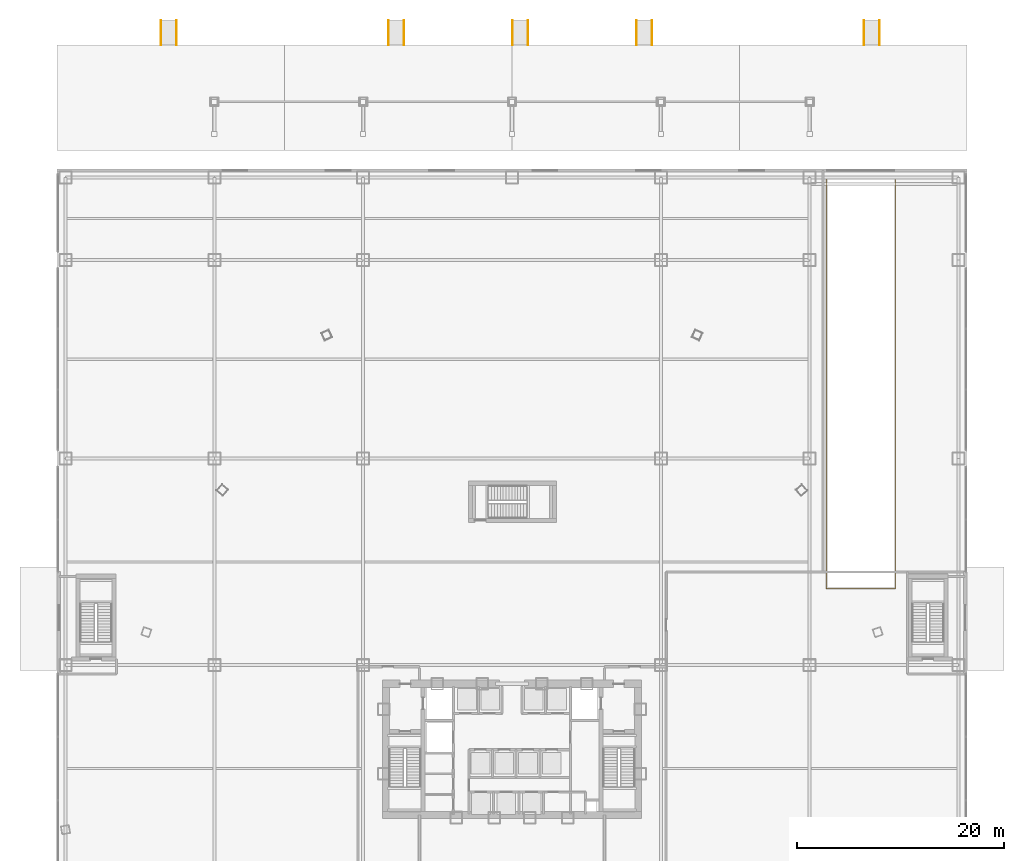
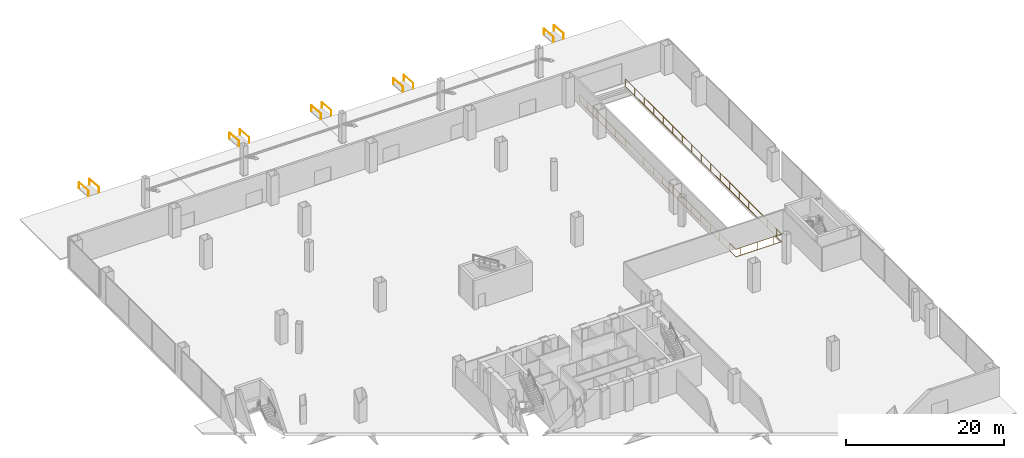
# One storey, part 57 of 58: 11 railings.
"""IFC4 building model written with IfcOpenShell, lengths in metres."""

from ifc_helpers import new_model, si_unit, direction, frame, origin, origin_2d, place, context, subcontext, project, spatial, rectangle, extrude, material, type_object, element, save


model = new_model("IFC4")

# Units and contexts
model_context = context("Model", 3, precision=1e-05, world=origin(), true_north=direction((0.0, 1.0)))
body_context = subcontext(model_context, "Body", "Model", "MODEL_VIEW")
ifc_project = project(units=[si_unit("LENGTHUNIT", "METRE"), si_unit("AREAUNIT", "SQUARE_METRE"), si_unit("VOLUMEUNIT", "CUBIC_METRE"), si_unit("PLANEANGLEUNIT", "RADIAN"), si_unit("MASSUNIT", "GRAM", prefix="KILO"), si_unit("THERMODYNAMICTEMPERATUREUNIT", "KELVIN"), si_unit("POWERUNIT", "WATT")], contexts=[model_context])

# Site, building, storey
site_placement = place(None, origin())
site = spatial("IfcSite", under=ifc_project, at=site_placement, CompositionType="ELEMENT")
building_placement = place(site_placement, origin())
building = spatial("IfcBuilding", under=site, at=building_placement, Name="Yunzhuo Pagoda Commons", CompositionType="ELEMENT")
storey_placement = place(building_placement, origin())
storey = spatial("IfcBuildingStorey", under=building, at=storey_placement, Name="L01", CompositionType="ELEMENT", Elevation=0.0)

# Railings
ifc_material = material(Name="Anodized aluminium 6063-T6", Category="aluminium")
railing_type_1 = type_object("IfcRailingType", Name="HR-PED1 Exterior Accessible Ramp Handrail 900", PredefinedType="HANDRAIL", material=ifc_material)
for number, where, name in (
    (1, (14.050048828125, 104.39990234375, -0.199951171875), "Accessible ramp handrail 1L"),
    (2, (15.550048828125, 104.39990234375, -0.199951171875), "Accessible ramp handrail 1R"),
    (3, (36.050048828125, 104.39990234375, -0.199951171875), "Accessible ramp handrail 2L"),
    (4, (37.550048828125, 104.39990234375, -0.199951171875), "Accessible ramp handrail 2R"),
    (5, (48.050048828125, 104.39990234375, -0.199951171875), "Accessible ramp handrail 3L"),
    (6, (49.550048828125, 104.39990234375, -0.199951171875), "Accessible ramp handrail 3R"),
    (7, (60.050048828125, 104.39990234375, -0.199951171875), "Accessible ramp handrail 4L"),
    (8, (61.550048828125, 104.39990234375, -0.199951171875), "Accessible ramp handrail 4R"),
    (9, (82.050048828125, 104.39990234375, -0.199951171875), "Accessible ramp handrail 5L"),
    (10, (83.550048828125, 104.39990234375, -0.199951171875), "Accessible ramp handrail 5R"),
):
    element("IfcRailing", number, at=place(storey_placement, frame(where)), inside=storey, type_object=railing_type_1, Name=name, PredefinedType="HANDRAIL", context=body_context, shape_type="SweptSolid", body=[
        extrude(rectangle(XDim=0.048095703125, YDim=0.048095703125, at=origin_2d()), frame((0.0, 0.0, 0.8759765625), z_axis=(0.0, -0.996547156423, 0.083028700011), x_axis=(1.0, 0.0, 0.0)), (0.0, 0.0, 1.0), 2.408203125),
        extrude(rectangle(XDim=0.0419921875, YDim=0.0419921875, at=origin_2d()), origin(), (0.0, 0.0, 1.0), 0.851806640625),
        extrude(rectangle(XDim=0.0419921875, YDim=0.0419921875, at=origin_2d()), frame((0.0, -2.39990234375, 0.199951171875)), (0.0, 0.0, 1.0), 0.851806640625),
    ])
railing_type_2 = type_object("IfcRailingType", Name="RL-RMP1 Interior Ramp Well Guardrail 1200", PredefinedType="GUARDRAIL", material=ifc_material)
railing_placement = place(storey_placement, frame((85.10009765625, 89.0, 0.0)))
element("IfcRailing", 11, at=railing_placement, inside=storey, type_object=railing_type_2, Name="L01 car park ramp well guardrail", PredefinedType="GUARDRAIL", context=body_context, shape_type="SweptSolid", body=[
    extrude(rectangle(XDim=0.048095703125, YDim=0.048095703125, at=origin_2d()), frame((0.0, 0.0, 1.17578125), z_axis=(0.0, -1.0, 0.0), x_axis=(1.0, 0.0, 0.0)), (0.0, 0.0, 1.0), 39.60009765625),
    extrude(rectangle(XDim=0.048095703125, YDim=0.048095703125, at=origin_2d()), frame((0.0, 0.0, 0.02392578125), z_axis=(0.0, -1.0, 0.0), x_axis=(1.0, 0.0, 0.0)), (0.0, 0.0, 1.0), 39.60009765625),
    extrude(rectangle(XDim=0.048095703125, YDim=0.048095703125, at=origin_2d()), frame((0.0, -39.60009765625, 1.17578125), z_axis=(-1.0, 0.0, 0.0), x_axis=(0.0, -1.0, 0.0)), (0.0, 0.0, 1.0), 6.7001953125),
    extrude(rectangle(XDim=0.048095703125, YDim=0.048095703125, at=origin_2d()), frame((0.0, -39.60009765625, 0.02392578125), z_axis=(-1.0, 0.0, 0.0), x_axis=(0.0, -1.0, 0.0)), (0.0, 0.0, 1.0), 6.7001953125),
    extrude(rectangle(XDim=0.048095703125, YDim=0.048095703125, at=origin_2d()), frame((-6.7001953125, -39.60009765625, 1.17578125), z_axis=(0.0, 1.0, 0.0), x_axis=(-1.0, 0.0, 0.0)), (0.0, 0.0, 1.0), 39.60009765625),
    extrude(rectangle(XDim=0.048095703125, YDim=0.048095703125, at=origin_2d()), frame((-6.7001953125, -39.60009765625, 0.02392578125), z_axis=(0.0, 1.0, 0.0), x_axis=(-1.0, 0.0, 0.0)), (0.0, 0.0, 1.0), 39.60009765625),
    extrude(rectangle(XDim=0.0419921875, YDim=0.0419921875, at=origin_2d()), origin(), (0.0, 0.0, 1.0), 1.15185546875),
    extrude(rectangle(XDim=0.0419921875, YDim=0.0419921875, at=origin_2d()), frame((0.0, -2.39990234375, 0.0)), (0.0, 0.0, 1.0), 1.15185546875),
    extrude(rectangle(XDim=0.0419921875, YDim=0.0419921875, at=origin_2d()), frame((0.0, -4.800048828125, 0.0)), (0.0, 0.0, 1.0), 1.15185546875),
    extrude(rectangle(XDim=0.0419921875, YDim=0.0419921875, at=origin_2d()), frame((0.0, -7.199951171875, 0.0)), (0.0, 0.0, 1.0), 1.15185546875),
    extrude(rectangle(XDim=0.0419921875, YDim=0.0419921875, at=origin_2d()), frame((0.0, -9.60009765625, 0.0)), (0.0, 0.0, 1.0), 1.15185546875),
    extrude(rectangle(XDim=0.0419921875, YDim=0.0419921875, at=origin_2d()), frame((0.0, -12.0, 0.0)), (0.0, 0.0, 1.0), 1.15185546875),
    extrude(rectangle(XDim=0.0419921875, YDim=0.0419921875, at=origin_2d()), frame((0.0, -14.39990234375, 0.0)), (0.0, 0.0, 1.0), 1.15185546875),
    extrude(rectangle(XDim=0.0419921875, YDim=0.0419921875, at=origin_2d()), frame((0.0, -16.800048828125, 0.0)), (0.0, 0.0, 1.0), 1.15185546875),
    extrude(rectangle(XDim=0.0419921875, YDim=0.0419921875, at=origin_2d()), frame((0.0, -19.199951171875, 0.0)), (0.0, 0.0, 1.0), 1.15185546875),
    extrude(rectangle(XDim=0.0419921875, YDim=0.0419921875, at=origin_2d()), frame((0.0, -21.60009765625, 0.0)), (0.0, 0.0, 1.0), 1.15185546875),
    extrude(rectangle(XDim=0.0419921875, YDim=0.0419921875, at=origin_2d()), frame((0.0, -24.0, 0.0)), (0.0, 0.0, 1.0), 1.15185546875),
    extrude(rectangle(XDim=0.0419921875, YDim=0.0419921875, at=origin_2d()), frame((0.0, -26.39990234375, 0.0)), (0.0, 0.0, 1.0), 1.15185546875),
    extrude(rectangle(XDim=0.0419921875, YDim=0.0419921875, at=origin_2d()), frame((0.0, -28.800048828125, 0.0)), (0.0, 0.0, 1.0), 1.15185546875),
    extrude(rectangle(XDim=0.0419921875, YDim=0.0419921875, at=origin_2d()), frame((0.0, -31.199951171875, 0.0)), (0.0, 0.0, 1.0), 1.15185546875),
    extrude(rectangle(XDim=0.0419921875, YDim=0.0419921875, at=origin_2d()), frame((0.0, -33.60009765625, 0.0)), (0.0, 0.0, 1.0), 1.15185546875),
    extrude(rectangle(XDim=0.0419921875, YDim=0.0419921875, at=origin_2d()), frame((0.0, -36.0, 0.0)), (0.0, 0.0, 1.0), 1.15185546875),
    extrude(rectangle(XDim=0.0419921875, YDim=0.0419921875, at=origin_2d()), frame((0.0, -38.39990234375, 0.0)), (0.0, 0.0, 1.0), 1.15185546875),
    extrude(rectangle(XDim=0.0419921875, YDim=0.0419921875, at=origin_2d()), frame((-1.199951171875, -39.60009765625, 0.0)), (0.0, 0.0, 1.0), 1.15185546875),
    extrude(rectangle(XDim=0.0419921875, YDim=0.0419921875, at=origin_2d()), frame((-3.599853515625, -39.60009765625, 0.0)), (0.0, 0.0, 1.0), 1.15185546875),
    extrude(rectangle(XDim=0.0419921875, YDim=0.0419921875, at=origin_2d()), frame((-6.0, -39.60009765625, 0.0)), (0.0, 0.0, 1.0), 1.15185546875),
    extrude(rectangle(XDim=0.0419921875, YDim=0.0419921875, at=origin_2d()), frame((-6.7001953125, -37.900390625, 0.0)), (0.0, 0.0, 1.0), 1.15185546875),
    extrude(rectangle(XDim=0.0419921875, YDim=0.0419921875, at=origin_2d()), frame((-6.7001953125, -35.50048828125, 0.0)), (0.0, 0.0, 1.0), 1.15185546875),
    extrude(rectangle(XDim=0.0419921875, YDim=0.0419921875, at=origin_2d()), frame((-6.7001953125, -33.100341796875, 0.0)), (0.0, 0.0, 1.0), 1.15185546875),
    extrude(rectangle(XDim=0.0419921875, YDim=0.0419921875, at=origin_2d()), frame((-6.7001953125, -30.700439453125, 0.0)), (0.0, 0.0, 1.0), 1.15185546875),
    extrude(rectangle(XDim=0.0419921875, YDim=0.0419921875, at=origin_2d()), frame((-6.7001953125, -28.30029296875, 0.0)), (0.0, 0.0, 1.0), 1.15185546875),
    extrude(rectangle(XDim=0.0419921875, YDim=0.0419921875, at=origin_2d()), frame((-6.7001953125, -25.900390625, 0.0)), (0.0, 0.0, 1.0), 1.15185546875),
    extrude(rectangle(XDim=0.0419921875, YDim=0.0419921875, at=origin_2d()), frame((-6.7001953125, -23.50048828125, 0.0)), (0.0, 0.0, 1.0), 1.15185546875),
    extrude(rectangle(XDim=0.0419921875, YDim=0.0419921875, at=origin_2d()), frame((-6.7001953125, -21.100341796875, 0.0)), (0.0, 0.0, 1.0), 1.15185546875),
    extrude(rectangle(XDim=0.0419921875, YDim=0.0419921875, at=origin_2d()), frame((-6.7001953125, -18.700439453125, 0.0)), (0.0, 0.0, 1.0), 1.15185546875),
    extrude(rectangle(XDim=0.0419921875, YDim=0.0419921875, at=origin_2d()), frame((-6.7001953125, -16.30029296875, 0.0)), (0.0, 0.0, 1.0), 1.15185546875),
    extrude(rectangle(XDim=0.0419921875, YDim=0.0419921875, at=origin_2d()), frame((-6.7001953125, -13.900390625, 0.0)), (0.0, 0.0, 1.0), 1.15185546875),
    extrude(rectangle(XDim=0.0419921875, YDim=0.0419921875, at=origin_2d()), frame((-6.7001953125, -11.50048828125, 0.0)), (0.0, 0.0, 1.0), 1.15185546875),
    extrude(rectangle(XDim=0.0419921875, YDim=0.0419921875, at=origin_2d()), frame((-6.7001953125, -9.100341796875, 0.0)), (0.0, 0.0, 1.0), 1.15185546875),
    extrude(rectangle(XDim=0.0419921875, YDim=0.0419921875, at=origin_2d()), frame((-6.7001953125, -6.700439453125, 0.0)), (0.0, 0.0, 1.0), 1.15185546875),
    extrude(rectangle(XDim=0.0419921875, YDim=0.0419921875, at=origin_2d()), frame((-6.7001953125, -4.30029296875, 0.0)), (0.0, 0.0, 1.0), 1.15185546875),
    extrude(rectangle(XDim=0.0419921875, YDim=0.0419921875, at=origin_2d()), frame((-6.7001953125, -1.900390625, 0.0)), (0.0, 0.0, 1.0), 1.15185546875),
    extrude(rectangle(XDim=0.0419921875, YDim=0.0419921875, at=origin_2d()), frame((-6.7001953125, 0.0, 0.0)), (0.0, 0.0, 1.0), 1.15185546875),
])

save(model, "model.ifc")
